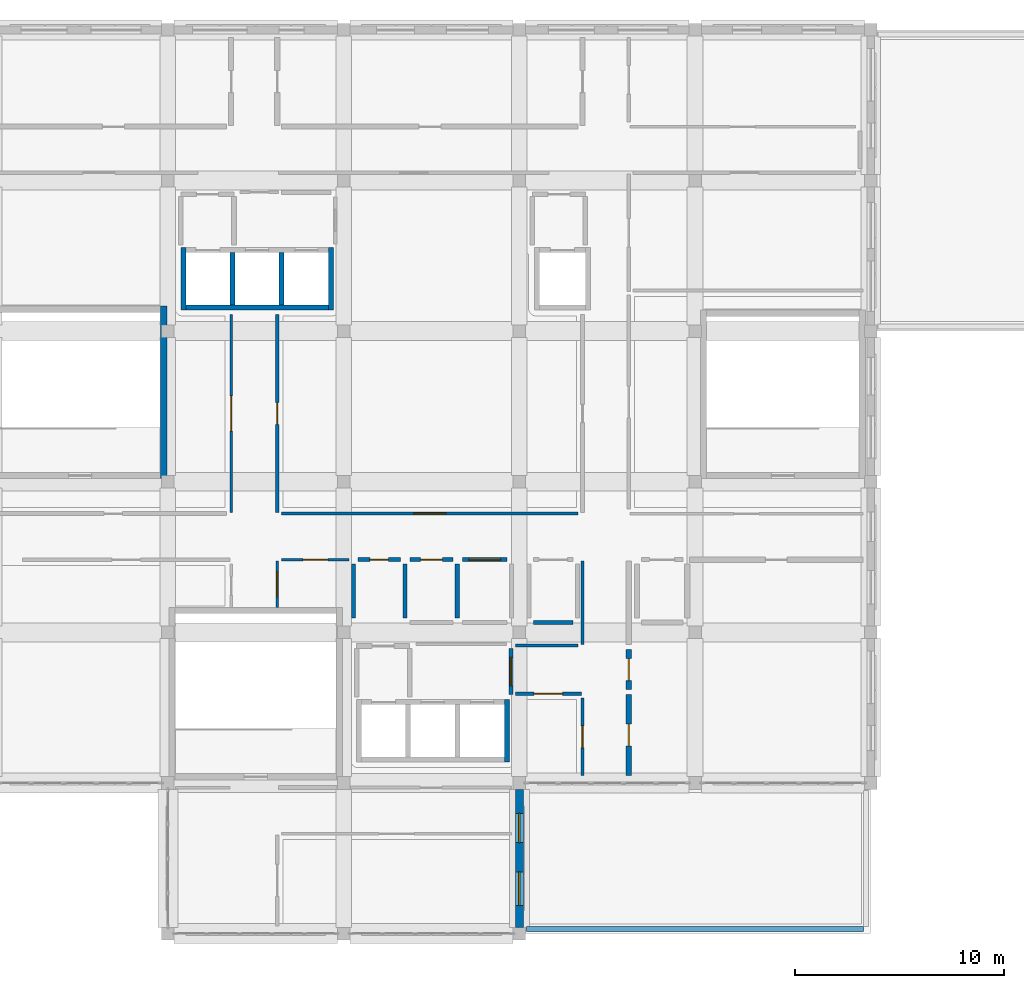
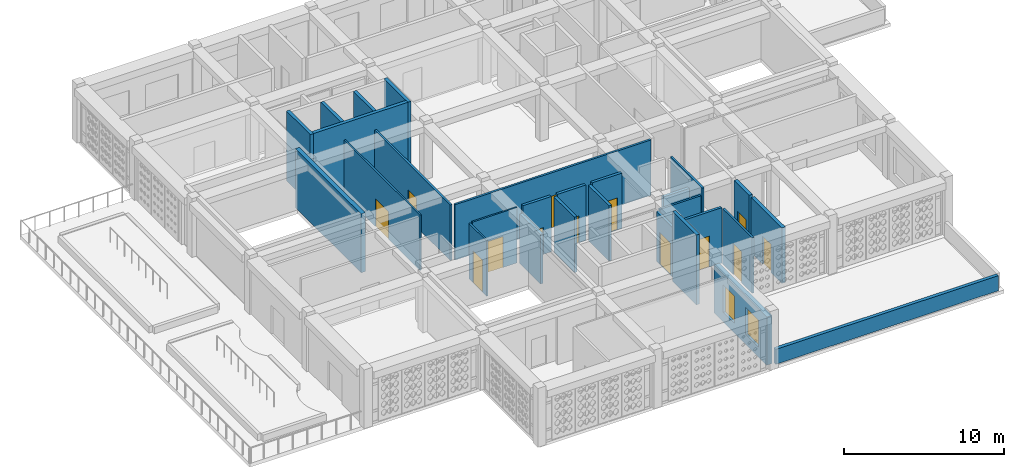
# One storey, part 13 of 28: 28 walls, 13 doors, 2 windows, 15 openings.
"""IFC4 building model written with IfcOpenShell, lengths in metres."""

from ifc_helpers import new_model, si_unit, derived_unit, direction, frame, frame_2d, origin, place, context, subcontext, project, spatial, rectangle, extrude, material, layer, layer_set, type_object, element, fill, save


model = new_model("IFC4")

# Units and contexts
model_context = context("Model", 3, precision=1e-05, world=origin(), true_north=direction((0.0, 1.0)))
body_context = subcontext(model_context, "Body", "Model", "MODEL_VIEW")
ifc_project = project(units=[si_unit("LENGTHUNIT", "METRE"), si_unit("AREAUNIT", "SQUARE_METRE"), si_unit("VOLUMEUNIT", "CUBIC_METRE"), si_unit("PLANEANGLEUNIT", "RADIAN"), si_unit("MASSUNIT", "GRAM", prefix="KILO"), derived_unit("THERMALTRANSMITTANCEUNIT", [(si_unit("POWERUNIT", "WATT"), 1), (si_unit("LENGTHUNIT", "METRE"), -2), (si_unit("THERMODYNAMICTEMPERATUREUNIT", "KELVIN"), -1)])], contexts=[model_context])

# Site, building, storey
site_placement = place(None, origin())
site = spatial("IfcSite", under=ifc_project, at=site_placement, CompositionType="ELEMENT")
building_placement = place(site_placement, origin())
building = spatial("IfcBuilding", under=site, at=building_placement, Name="Veybourne Emporium", CompositionType="ELEMENT")
storey_placement = place(building_placement, frame((0.0, 0.0, 32.10009765625)))
storey = spatial("IfcBuildingStorey", under=building, at=storey_placement, Name="L07", CompositionType="ELEMENT", Elevation=32.10009765625)

# Wall, openings, windows
ifc_material_1 = material(Name="Portland Limestone Ashlar", Category="masonry")
ifc_layer_1 = layer(ifc_material_1, 0.3798828125)
ifc_layer_set_1 = layer_set([ifc_layer_1], Name="Portland Limestone Ashlar")
wall_type_1 = type_object("IfcWallType", Name="ExtWall_EW-03", PredefinedType="SOLIDWALL", material=ifc_layer_set_1)
wall_1_placement = place(storey_placement, frame((33.60009765625, 14.10009765625, 0.0), z_axis=(0.0, 0.0, 1.0), x_axis=(0.0, -1.0, 0.0)))
wall_1 = element("IfcWall", 1, at=wall_1_placement, inside=storey, type_object=wall_type_1, Name="L07 Portland stone external wall 012", PredefinedType="SOLIDWALL", context=body_context, shape_type="SweptSolid", body=[
    extrude(rectangle(XDim=6.60009765625, YDim=0.3798828125, at=frame_2d((3.300048828125, 0.0))), origin(), (0.0, 0.0, 1.0), 3.68994140625),
])
opening_1_placement = place(wall_1_placement, frame((1.14794921875, 0.0, 0.75)))
opening_1 = element("IfcOpeningElement", 2, at=opening_1_placement, cuts=wall_1, Name="Opening W-10", PredefinedType="OPENING", context=body_context, shape_type="SweptSolid", body=[
    extrude(rectangle(XDim=1.39990234375, YDim=2.080078125, at=frame_2d((0.699951171875, 1.0400390625))), frame((0.0, 0.2099609375, 0.0), z_axis=(0.0, -1.0, 0.0), x_axis=(1.0, 0.0, 0.0)), (0.0, 0.0, 1.0), 0.419921875),
])
opening_2_placement = place(wall_1_placement, frame((3.951904296875, 0.0, 0.75)))
opening_2 = element("IfcOpeningElement", 3, at=opening_2_placement, cuts=wall_1, Name="Opening W-11", PredefinedType="OPENING", context=body_context, shape_type="SweptSolid", body=[
    extrude(rectangle(XDim=1.60009765625, YDim=2.080078125, at=frame_2d((0.800048828125, 1.0400390625))), frame((0.0, 0.2099609375, 0.0), z_axis=(0.0, -1.0, 0.0), x_axis=(1.0, 0.0, 0.0)), (0.0, 0.0, 1.0), 0.419921875),
])
ifc_material_2 = material(Name="Low-E Triple Glazing", Category="glass")
window_type_1 = type_object("IfcWindowType", Name="Win_W-10", PartitioningType="DOUBLE_PANEL_VERTICAL", PredefinedType="WINDOW", material=ifc_material_2)
window_1_placement = place(opening_1_placement, origin())
window_1 = element("IfcWindow", 4, at=window_1_placement, inside=storey, type_object=window_type_1, Name="L07 tripartite bronze casement window W-10 (12.1)", OverallHeight=2.080078125, OverallWidth=1.39990234375, PartitioningType="DOUBLE_PANEL_VERTICAL", PredefinedType="WINDOW", context=body_context, shape_type="SweptSolid", body=[
    extrude(rectangle(XDim=1.39990234375, YDim=2.080078125, at=frame_2d((0.699951171875, 1.0400390625))), frame((0.0, 0.030029296875, 0.0), z_axis=(0.0, -1.0, 0.0), x_axis=(1.0, 0.0, 0.0)), (0.0, 0.0, 1.0), 0.06005859375),
])
fill(opening_1, window_1)
window_type_2 = type_object("IfcWindowType", Name="Win_W-11", PartitioningType="DOUBLE_PANEL_VERTICAL", PredefinedType="WINDOW", material=ifc_material_2)
window_2_placement = place(opening_2_placement, origin())
window_2 = element("IfcWindow", 5, at=window_2_placement, inside=storey, type_object=window_type_2, Name="L07 tripartite bronze casement window W-11 (12.2)", OverallHeight=2.080078125, OverallWidth=1.60009765625, PartitioningType="DOUBLE_PANEL_VERTICAL", PredefinedType="WINDOW", context=body_context, shape_type="SweptSolid", body=[
    extrude(rectangle(XDim=1.60009765625, YDim=2.080078125, at=frame_2d((0.800048828125, 1.0400390625))), frame((0.0, 0.030029296875, 0.0), z_axis=(0.0, -1.0, 0.0), x_axis=(1.0, 0.0, 0.0)), (0.0, 0.0, 1.0), 0.06005859375),
])
fill(opening_2, window_2)

# Walls
ifc_material_3 = material(Name="Precast concrete C40/50", Category="concrete")
ifc_layer_2 = layer(ifc_material_3, 0.239990234375)
ifc_layer_set_2 = layer_set([ifc_layer_2], Name="Precast concrete C40/50")
wall_type_2 = type_object("IfcWallType", Name="ExtWall_PW-02", PredefinedType="PARAPET", material=ifc_layer_set_2)
wall_2_placement = place(storey_placement, frame((50.050048828125, 7.419921875, 0.0), z_axis=(0.0, 0.0, 1.0), x_axis=(-1.0, 0.0, 0.0)))
element("IfcWall", 6, at=wall_2_placement, inside=storey, type_object=wall_type_2, Name="L07 roof parapet wall 002", PredefinedType="PARAPET", context=body_context, shape_type="SweptSolid", body=[
    extrude(rectangle(XDim=16.10009765625, YDim=0.239990234375, at=frame_2d((8.050048828125, 0.0))), origin(), (0.0, 0.0, 1.0), 1.14990234375),
])
ifc_material_4 = material(Name="Concrete C40/50", Category="concrete")
ifc_layer_3 = layer(ifc_material_4, 0.300048828125)
ifc_layer_set_3 = layer_set([ifc_layer_3], Name="Concrete C40/50")
wall_type_3 = type_object("IfcWallType", Name="IntWall_CW-03", PredefinedType="SHEAR", material=ifc_layer_set_3)
wall_3_placement = place(storey_placement, frame((16.60009765625, 28.949951171875, 0.0), z_axis=(0.0, 0.0, 1.0), x_axis=(0.0, 1.0, 0.0)))
element("IfcWall", 7, at=wall_3_placement, inside=storey, type_object=wall_type_3, Name="Core stair ST-02 east shear wall (L07)", PredefinedType="SHEAR", context=body_context, shape_type="SweptSolid", body=[
    extrude(rectangle(XDim=8.25, YDim=0.300048828125, at=frame_2d((4.125, 0.0))), origin(), (0.0, 0.0, 1.0), 4.5),
])
ifc_layer_4 = layer(ifc_material_4, 0.239990234375)
ifc_layer_set_4 = layer_set([ifc_layer_4], Name="Concrete C40/50")
wall_type_4 = type_object("IfcWallType", Name="IntWall_CW-04", PredefinedType="SHEAR", material=ifc_layer_set_4)
wall_4_placement = place(storey_placement, frame((33.0, 15.409912109375, 0.0), z_axis=(0.0, 0.0, 1.0), x_axis=(0.0, 1.0, 0.0)))
element("IfcWall", 8, at=wall_4_placement, inside=storey, type_object=wall_type_4, Name="Lift core C1 east shaft wall (L07)", PredefinedType="SHEAR", context=body_context, shape_type="SweptSolid", body=[
    extrude(rectangle(XDim=2.97998046875, YDim=0.239990234375, at=frame_2d((1.489990234375, 0.0))), origin(), (0.0, 0.0, 1.0), 5.349853515625),
])
wall_5_placement = place(storey_placement, frame((17.659912109375, 37.1298828125, 0.0), z_axis=(0.0, 0.0, 1.0), x_axis=(1.0, 0.0, 0.0)))
element("IfcWall", 9, at=wall_5_placement, inside=storey, type_object=wall_type_4, Name="Lift core C2 south shaft wall (L07)", PredefinedType="SHEAR", context=body_context, shape_type="SweptSolid", body=[
    extrude(rectangle(XDim=6.820068359375, YDim=0.239990234375, at=frame_2d((3.41015625, 0.0))), origin(), (0.0, 0.0, 1.0), 5.349853515625),
])
for number, where, z_axis, x_axis, name in (
    (10, (17.5400390625, 39.989990234375, 0.0), (0.0, 0.0, 1.0), (0.0, -1.0, 0.0), "Lift core C2 west shaft wall (L07)"),
    (11, (24.60009765625, 37.010009765625, 0.0), (0.0, 0.0, 1.0), (0.0, 1.0, 0.0), "Lift core C2 east shaft wall (L07)"),
):
    element("IfcWall", number, at=place(storey_placement, frame(where, z_axis=z_axis, x_axis=x_axis)), inside=storey, type_object=wall_type_4, Name=name, PredefinedType="SHEAR", context=body_context, shape_type="SweptSolid", body=[
        extrude(rectangle(XDim=2.97998046875, YDim=0.239990234375, at=frame_2d((1.489990234375, 0.0))), origin(), (0.0, 0.0, 1.0), 5.349853515625),
    ])
for number, where, z_axis, x_axis, name in (
    (12, (19.8798828125, 37.25, 0.0), (0.0, 0.0, 1.0), (0.0, 1.0, 0.0), "Lift core C2 divider wall 1 (L07)"),
    (13, (22.239990234375, 37.25, 0.0), (0.0, 0.0, 1.0), (0.0, 1.0, 0.0), "Lift core C2 divider wall 2 (L07)"),
):
    element("IfcWall", number, at=place(storey_placement, frame(where, z_axis=z_axis, x_axis=x_axis)), inside=storey, type_object=wall_type_4, Name=name, PredefinedType="SHEAR", context=body_context, shape_type="SweptSolid", body=[
        extrude(rectangle(XDim=2.5, YDim=0.239990234375, at=frame_2d((1.25, 0.0))), origin(), (0.0, 0.0, 1.0), 5.349853515625),
    ])

# Wall, opening, door
ifc_material_5 = material(Name="Concrete C32/40", Category="concrete")
ifc_layer_5 = layer(ifc_material_5, 0.25)
ifc_layer_set_5 = layer_set([ifc_layer_5], Name="Concrete C32/40")
wall_type_5 = type_object("IfcWallType", Name="IntWall_FW-01", PredefinedType="SOLIDWALL", material=ifc_layer_set_5)
wall_6_placement = place(storey_placement, frame((38.830078125, 14.77001953125, 0.0), z_axis=(0.0, 0.0, 1.0), x_axis=(0.0, 1.0, 0.0)))
wall_6 = element("IfcWall", 14, at=wall_6_placement, inside=storey, type_object=wall_type_5, Name="L07 interior partition FW-01 #028", PredefinedType="SOLIDWALL", context=body_context, shape_type="SweptSolid", body=[
    extrude(rectangle(XDim=3.85009765625, YDim=0.25, at=frame_2d((1.925048828125, 0.0))), origin(), (0.0, 0.0, 1.0), 4.239990234375),
])
opening_3_placement = place(wall_6_placement, frame((1.39990234375, 0.0, 0.0)))
opening_3 = element("IfcOpeningElement", 15, at=opening_3_placement, cuts=wall_6, Name="Opening FD-02", PredefinedType="OPENING", context=body_context, shape_type="SweptSolid", body=[
    extrude(rectangle(XDim=1.050048828125, YDim=2.14990234375, at=frame_2d((0.52490234375, 1.074951171875))), frame((0.0, 0.14501953125, 0.0), z_axis=(0.0, -1.0, 0.0), x_axis=(1.0, 0.0, 0.0)), (0.0, 0.0, 1.0), 0.2900390625),
])
ifc_material_6 = material(Name="Patinated Architectural Bronze", Category="bronze")
door_type_1 = type_object("IfcDoorType", Name="FireDoor_FD-02", OperationType="NOTDEFINED", PredefinedType="DOOR", material=ifc_material_6)
door_1_placement = place(opening_3_placement, origin())
door_1 = element("IfcDoor", 16, at=door_1_placement, inside=storey, type_object=door_type_1, Name="L07 interior door FD-02 (PART-L07-028)", OperationType="SINGLE_SWING_RIGHT", OverallHeight=2.14990234375, OverallWidth=1.050048828125, PredefinedType="DOOR", context=body_context, shape_type="SweptSolid", body=[
    extrude(rectangle(XDim=1.050048828125, YDim=2.14990234375, at=frame_2d((0.52490234375, 1.074951171875))), frame((0.0, 0.02490234375, 0.0), z_axis=(0.0, -1.0, 0.0), x_axis=(1.0, 0.0, 0.0)), (0.0, 0.0, 1.0), 0.050048828125),
])
fill(opening_3, door_1)

wall_7_placement = place(storey_placement, frame((38.830078125, 18.8798828125, 0.0), z_axis=(0.0, 0.0, 1.0), x_axis=(0.0, 1.0, 0.0)))
wall_7 = element("IfcWall", 17, at=wall_7_placement, inside=storey, type_object=wall_type_5, Name="L07 interior partition FW-01 #044", PredefinedType="SOLIDWALL", context=body_context, shape_type="SweptSolid", body=[
    extrude(rectangle(XDim=1.89013671875, YDim=0.25, at=frame_2d((0.945068359375, 0.0))), origin(), (0.0, 0.0, 1.0), 4.239990234375),
])
opening_4_placement = place(wall_7_placement, frame((0.419921875, 0.0, 0.0)))
opening_4 = element("IfcOpeningElement", 18, at=opening_4_placement, cuts=wall_7, Name="Opening FD-02", PredefinedType="OPENING", context=body_context, shape_type="SweptSolid", body=[
    extrude(rectangle(XDim=1.050048828125, YDim=2.14990234375, at=frame_2d((0.52490234375, 1.074951171875))), frame((0.0, 0.14501953125, 0.0), z_axis=(0.0, -1.0, 0.0), x_axis=(1.0, 0.0, 0.0)), (0.0, 0.0, 1.0), 0.2900390625),
])
door_2_placement = place(opening_4_placement, origin())
door_2 = element("IfcDoor", 19, at=door_2_placement, inside=storey, type_object=door_type_1, Name="L07 interior door FD-02 (PART-L07-044)", OperationType="SINGLE_SWING_LEFT", OverallHeight=2.14990234375, OverallWidth=1.050048828125, PredefinedType="DOOR", context=body_context, shape_type="SweptSolid", body=[
    extrude(rectangle(XDim=1.050048828125, YDim=2.14990234375, at=frame_2d((0.52490234375, 1.074951171875))), frame((0.0, 0.02490234375, 0.0), z_axis=(0.0, -1.0, 0.0), x_axis=(1.0, 0.0, 0.0)), (0.0, 0.0, 1.0), 0.050048828125),
])
fill(opening_4, door_2)

ifc_material_7 = material(Name="Gypsum Acoustic Board", Category="gypsum")
ifc_layer_6 = layer(ifc_material_7, 0.179931640625)
ifc_layer_set_6 = layer_set([ifc_layer_6], Name="Gypsum Acoustic Board")
wall_type_6 = type_object("IfcWallType", Name="IntWall_IW-01", PredefinedType="PARTITIONING", material=ifc_layer_set_6)
wall_8_placement = place(storey_placement, frame((33.409912109375, 18.669921875, 0.0), z_axis=(0.0, 0.0, 1.0), x_axis=(1.0, 0.0, 0.0)))
wall_8 = element("IfcWall", 20, at=wall_8_placement, inside=storey, type_object=wall_type_6, Name="L07 interior partition IW-01 #031", PredefinedType="PARTITIONING", context=body_context, shape_type="SweptSolid", body=[
    extrude(rectangle(XDim=3.16015625, YDim=0.179931640625, at=frame_2d((1.580078125, 0.0))), origin(), (0.0, 0.0, 1.0), 4.239990234375),
])
opening_5_placement = place(wall_8_placement, frame((0.89990234375, 0.0, 0.0)))
opening_5 = element("IfcOpeningElement", 21, at=opening_5_placement, cuts=wall_8, Name="Opening D-28", PredefinedType="OPENING", context=body_context, shape_type="SweptSolid", body=[
    extrude(rectangle(XDim=1.360107421875, YDim=2.3701171875, at=frame_2d((0.68017578125, 1.18505859375))), frame((0.0, 0.10986328125, 0.0), z_axis=(0.0, -1.0, 0.0), x_axis=(1.0, 0.0, 0.0)), (0.0, 0.0, 1.0), 0.219970703125),
])
ifc_material_8 = material(Name="European Oak Veneer and Bronze", Category="wood")
door_type_2 = type_object("IfcDoorType", Name="IntDoor_D-28", OperationType="NOTDEFINED", PredefinedType="DOOR", material=ifc_material_8)
door_3_placement = place(opening_5_placement, origin())
door_3 = element("IfcDoor", 22, at=door_3_placement, inside=storey, type_object=door_type_2, Name="L07 interior door D-28 (PART-L07-031)", OperationType="SINGLE_SWING_LEFT", OverallHeight=2.3701171875, OverallWidth=1.360107421875, PredefinedType="DOOR", context=body_context, shape_type="SweptSolid", body=[
    extrude(rectangle(XDim=1.360107421875, YDim=2.3701171875, at=frame_2d((0.68017578125, 1.18505859375))), frame((0.0, 0.02490234375, 0.0), z_axis=(0.0, -1.0, 0.0), x_axis=(1.0, 0.0, 0.0)), (0.0, 0.0, 1.0), 0.050048828125),
])
fill(opening_5, door_3)

wall_9_placement = place(storey_placement, frame((33.199951171875, 18.6201171875, 0.0), z_axis=(0.0, 0.0, 1.0), x_axis=(0.0, 1.0, 0.0)))
wall_9 = element("IfcWall", 23, at=wall_9_placement, inside=storey, type_object=wall_type_6, Name="L07 interior partition IW-01 #037", PredefinedType="PARTITIONING", context=body_context, shape_type="SweptSolid", body=[
    extrude(rectangle(XDim=2.199951171875, YDim=0.179931640625, at=frame_2d((1.10009765625, 0.0))), origin(), (0.0, 0.0, 1.0), 3.789794921875),
])
opening_6_placement = place(wall_9_placement, frame((0.419921875, 0.0, 0.0)))
opening_6 = element("IfcOpeningElement", 24, at=opening_6_placement, cuts=wall_9, Name="Opening D-34", PredefinedType="OPENING", context=body_context, shape_type="SweptSolid", body=[
    extrude(rectangle(XDim=1.360107421875, YDim=2.449951171875, at=frame_2d((0.68017578125, 1.22509765625))), frame((0.0, 0.10986328125, 0.0), z_axis=(0.0, -1.0, 0.0), x_axis=(1.0, 0.0, 0.0)), (0.0, 0.0, 1.0), 0.219970703125),
])
door_type_3 = type_object("IfcDoorType", Name="IntDoor_D-34", OperationType="NOTDEFINED", PredefinedType="DOOR", material=ifc_material_8)
door_4_placement = place(opening_6_placement, origin())
door_4 = element("IfcDoor", 25, at=door_4_placement, inside=storey, type_object=door_type_3, Name="L07 interior door D-34 (PART-L07-037)", OperationType="SINGLE_SWING_RIGHT", OverallHeight=2.449951171875, OverallWidth=1.360107421875, PredefinedType="DOOR", context=body_context, shape_type="SweptSolid", body=[
    extrude(rectangle(XDim=1.360107421875, YDim=2.449951171875, at=frame_2d((0.68017578125, 1.22509765625))), frame((0.0, 0.02490234375, 0.0), z_axis=(0.0, -1.0, 0.0), x_axis=(1.0, 0.0, 0.0)), (0.0, 0.0, 1.0), 0.050048828125),
])
fill(opening_6, door_4)

ifc_layer_7 = layer(ifc_material_7, 0.14990234375)
ifc_layer_set_7 = layer_set([ifc_layer_7], Name="Gypsum Acoustic Board")
wall_type_7 = type_object("IfcWallType", Name="IntWall_IW-02", PredefinedType="PARTITIONING", material=ifc_layer_set_7)
wall_10_placement = place(storey_placement, frame((22.239990234375, 27.280029296875, 0.0), z_axis=(0.0, 0.0, 1.0), x_axis=(1.0, 0.0, 0.0)))
wall_10 = element("IfcWall", 26, at=wall_10_placement, inside=storey, type_object=wall_type_7, Name="L07 interior partition IW-02 #002", PredefinedType="PARTITIONING", context=body_context, shape_type="SweptSolid", body=[
    extrude(rectangle(XDim=14.169921875, YDim=0.14990234375, at=frame_2d((7.0849609375, 0.0))), origin(), (0.0, 0.0, 1.0), 4.239990234375),
])
opening_7_placement = place(wall_10_placement, frame((6.324951171875, 0.0, 0.0)))
opening_7 = element("IfcOpeningElement", 27, at=opening_7_placement, cuts=wall_10, Name="Opening D-35", PredefinedType="OPENING", context=body_context, shape_type="SweptSolid", body=[
    extrude(rectangle(XDim=1.52001953125, YDim=2.449951171875, at=frame_2d((0.760009765625, 1.22509765625))), frame((0.0, 0.094970703125, 0.0), z_axis=(0.0, -1.0, 0.0), x_axis=(1.0, 0.0, 0.0)), (0.0, 0.0, 1.0), 0.18994140625),
])
door_type_4 = type_object("IfcDoorType", Name="IntDoor_D-35", OperationType="NOTDEFINED", PredefinedType="DOOR", material=ifc_material_8)
door_5_placement = place(opening_7_placement, origin())
door_5 = element("IfcDoor", 28, at=door_5_placement, inside=storey, type_object=door_type_4, Name="L07 interior door D-35 (PART-L07-002)", OperationType="SINGLE_SWING_RIGHT", OverallHeight=2.449951171875, OverallWidth=1.52001953125, PredefinedType="DOOR", context=body_context, shape_type="SweptSolid", body=[
    extrude(rectangle(XDim=1.52001953125, YDim=2.449951171875, at=frame_2d((0.760009765625, 1.22509765625))), frame((0.0, 0.02490234375, 0.0), z_axis=(0.0, -1.0, 0.0), x_axis=(1.0, 0.0, 0.0)), (0.0, 0.0, 1.0), 0.050048828125),
])
fill(opening_7, door_5)

wall_11_placement = place(storey_placement, frame((22.030029296875, 27.330078125, 0.0), z_axis=(0.0, 0.0, 1.0), x_axis=(0.0, 1.0, 0.0)))
wall_11 = element("IfcWall", 29, at=wall_11_placement, inside=storey, type_object=wall_type_7, Name="L07 interior partition IW-02 #017", PredefinedType="PARTITIONING", context=body_context, shape_type="SweptSolid", body=[
    extrude(rectangle(XDim=9.469970703125, YDim=0.14990234375, at=frame_2d((4.73486328125, 0.0))), origin(), (0.0, 0.0, 1.0), 4.239990234375),
])
opening_8_placement = place(wall_11_placement, frame((4.215087890625, 0.0, 0.0)))
opening_8 = element("IfcOpeningElement", 30, at=opening_8_placement, cuts=wall_11, Name="Opening D-14", PredefinedType="OPENING", context=body_context, shape_type="SweptSolid", body=[
    extrude(rectangle(XDim=1.0400390625, YDim=2.2099609375, at=frame_2d((0.52001953125, 1.10498046875))), frame((0.0, 0.094970703125, 0.0), z_axis=(0.0, -1.0, 0.0), x_axis=(1.0, 0.0, 0.0)), (0.0, 0.0, 1.0), 0.18994140625),
])
door_type_5 = type_object("IfcDoorType", Name="IntDoor_D-14", OperationType="NOTDEFINED", PredefinedType="DOOR", material=ifc_material_8)
door_6_placement = place(opening_8_placement, origin())
door_6 = element("IfcDoor", 31, at=door_6_placement, inside=storey, type_object=door_type_5, Name="L07 interior door D-14 (PART-L07-017)", OperationType="SINGLE_SWING_RIGHT", OverallHeight=2.2099609375, OverallWidth=1.0400390625, PredefinedType="DOOR", context=body_context, shape_type="SweptSolid", body=[
    extrude(rectangle(XDim=1.0400390625, YDim=2.2099609375, at=frame_2d((0.52001953125, 1.10498046875))), frame((0.0, 0.02490234375, 0.0), z_axis=(0.0, -1.0, 0.0), x_axis=(1.0, 0.0, 0.0)), (0.0, 0.0, 1.0), 0.050048828125),
])
fill(opening_8, door_6)

# Wall
wall_12_placement = place(storey_placement, frame((36.6201171875, 21.030029296875, 0.0), z_axis=(0.0, 0.0, 1.0), x_axis=(0.0, 1.0, 0.0)))
element("IfcWall", 32, at=wall_12_placement, inside=storey, type_object=wall_type_7, Name="L07 interior partition IW-02 #026", PredefinedType="PARTITIONING", context=body_context, shape_type="SweptSolid", body=[
    extrude(rectangle(XDim=3.989990234375, YDim=0.14990234375, at=frame_2d((1.9951171875, 0.0))), origin(), (0.0, 0.0, 1.0), 4.239990234375),
])

# Wall, opening, door
wall_13_placement = place(storey_placement, frame((36.6201171875, 14.77001953125, 0.0), z_axis=(0.0, 0.0, 1.0), x_axis=(0.0, 1.0, 0.0)))
wall_13 = element("IfcWall", 33, at=wall_13_placement, inside=storey, type_object=wall_type_7, Name="L07 interior partition IW-02 #029", PredefinedType="PARTITIONING", context=body_context, shape_type="SweptSolid", body=[
    extrude(rectangle(XDim=3.68994140625, YDim=0.14990234375, at=frame_2d((1.844970703125, 0.0))), origin(), (0.0, 0.0, 1.0), 4.239990234375),
])
opening_9_placement = place(wall_13_placement, frame((1.324951171875, 0.0, 0.0)))
opening_9 = element("IfcOpeningElement", 34, at=opening_9_placement, cuts=wall_13, Name="Opening D-26", PredefinedType="OPENING", context=body_context, shape_type="SweptSolid", body=[
    extrude(rectangle(XDim=1.0400390625, YDim=2.3701171875, at=frame_2d((0.52001953125, 1.18505859375))), frame((0.0, 0.094970703125, 0.0), z_axis=(0.0, -1.0, 0.0), x_axis=(1.0, 0.0, 0.0)), (0.0, 0.0, 1.0), 0.18994140625),
])
door_type_6 = type_object("IfcDoorType", Name="IntDoor_D-26", OperationType="NOTDEFINED", PredefinedType="DOOR", material=ifc_material_8)
door_7_placement = place(opening_9_placement, origin())
door_7 = element("IfcDoor", 35, at=door_7_placement, inside=storey, type_object=door_type_6, Name="L07 interior door D-26 (PART-L07-029)", OperationType="SINGLE_SWING_LEFT", OverallHeight=2.3701171875, OverallWidth=1.0400390625, PredefinedType="DOOR", context=body_context, shape_type="SweptSolid", body=[
    extrude(rectangle(XDim=1.0400390625, YDim=2.3701171875, at=frame_2d((0.52001953125, 1.18505859375))), frame((0.0, 0.02490234375, 0.0), z_axis=(0.0, -1.0, 0.0), x_axis=(1.0, 0.0, 0.0)), (0.0, 0.0, 1.0), 0.050048828125),
])
fill(opening_9, door_7)

# Wall
wall_14_placement = place(storey_placement, frame((33.409912109375, 20.97998046875, 0.0), z_axis=(0.0, 0.0, 1.0), x_axis=(1.0, 0.0, 0.0)))
element("IfcWall", 36, at=wall_14_placement, inside=storey, type_object=wall_type_7, Name="L07 interior partition IW-02 #032", PredefinedType="PARTITIONING", context=body_context, shape_type="SweptSolid", body=[
    extrude(rectangle(XDim=3.0, YDim=0.14990234375, at=frame_2d((1.5, 0.0))), origin(), (0.0, 0.0, 1.0), 3.789794921875),
])

# Wall, opening, door
ifc_layer_8 = layer(ifc_material_7, 0.1201171875)
ifc_layer_set_8 = layer_set([ifc_layer_8], Name="Gypsum Acoustic Board")
wall_type_8 = type_object("IfcWallType", Name="IntWall_IW-03", PredefinedType="PARTITIONING", material=ifc_layer_set_8)
wall_15_placement = place(storey_placement, frame((19.820068359375, 27.330078125, 0.0), z_axis=(0.0, 0.0, 1.0), x_axis=(0.0, 1.0, 0.0)))
wall_15 = element("IfcWall", 37, at=wall_15_placement, inside=storey, type_object=wall_type_8, Name="L07 interior partition IW-03 #015", PredefinedType="PARTITIONING", context=body_context, shape_type="SweptSolid", body=[
    extrude(rectangle(XDim=9.469970703125, YDim=0.1201171875, at=frame_2d((4.73486328125, 0.0))), origin(), (0.0, 0.0, 1.0), 4.239990234375),
])
opening_10_placement = place(wall_15_placement, frame((3.89501953125, 0.0, 0.0)))
opening_10 = element("IfcOpeningElement", 38, at=opening_10_placement, cuts=wall_15, Name="Opening D-12", PredefinedType="OPENING", context=body_context, shape_type="SweptSolid", body=[
    extrude(rectangle(XDim=1.679931640625, YDim=2.1298828125, at=frame_2d((0.83984375, 1.06494140625))), frame((0.0, 0.080078125, 0.0), z_axis=(0.0, -1.0, 0.0), x_axis=(1.0, 0.0, 0.0)), (0.0, 0.0, 1.0), 0.16015625),
])
door_type_7 = type_object("IfcDoorType", Name="IntDoor_D-12", OperationType="DOUBLE_DOOR_SINGLE_SWING", PredefinedType="DOOR", material=ifc_material_8)
door_8_placement = place(opening_10_placement, origin())
door_8 = element("IfcDoor", 39, at=door_8_placement, inside=storey, type_object=door_type_7, Name="L07 interior door D-12 (PART-L07-015)", OperationType="DOUBLE_DOOR_SINGLE_SWING", OverallHeight=2.1298828125, OverallWidth=1.679931640625, PredefinedType="DOOR", context=body_context, shape_type="SweptSolid", body=[
    extrude(rectangle(XDim=1.679931640625, YDim=2.1298828125, at=frame_2d((0.83984375, 1.06494140625))), frame((0.0, 0.02490234375, 0.0), z_axis=(0.0, -1.0, 0.0), x_axis=(1.0, 0.0, 0.0)), (0.0, 0.0, 1.0), 0.050048828125),
])
fill(opening_10, door_8)

wall_16_placement = place(storey_placement, frame((22.239990234375, 25.070068359375, 0.0), z_axis=(0.0, 0.0, 1.0), x_axis=(1.0, 0.0, 0.0)))
wall_16 = element("IfcWall", 40, at=wall_16_placement, inside=storey, type_object=wall_type_8, Name="L07 interior partition IW-03 #030", PredefinedType="PARTITIONING", context=body_context, shape_type="SweptSolid", body=[
    extrude(rectangle(XDim=3.219970703125, YDim=0.1201171875, at=frame_2d((1.60986328125, 0.0))), origin(), (0.0, 0.0, 1.0), 4.239990234375),
])
opening_11_placement = place(wall_16_placement, frame((1.010009765625, 0.0, 0.0)))
opening_11 = element("IfcOpeningElement", 41, at=opening_11_placement, cuts=wall_16, Name="Opening D-27", PredefinedType="OPENING", context=body_context, shape_type="SweptSolid", body=[
    extrude(rectangle(XDim=1.199951171875, YDim=2.3701171875, at=frame_2d((0.60009765625, 1.18505859375))), frame((0.0, 0.080078125, 0.0), z_axis=(0.0, -1.0, 0.0), x_axis=(1.0, 0.0, 0.0)), (0.0, 0.0, 1.0), 0.16015625),
])
door_type_8 = type_object("IfcDoorType", Name="IntDoor_D-27", OperationType="NOTDEFINED", PredefinedType="DOOR", material=ifc_material_8)
door_9_placement = place(opening_11_placement, origin())
door_9 = element("IfcDoor", 42, at=door_9_placement, inside=storey, type_object=door_type_8, Name="L07 interior door D-27 (PART-L07-030)", OperationType="SINGLE_SWING_RIGHT", OverallHeight=2.3701171875, OverallWidth=1.199951171875, PredefinedType="DOOR", context=body_context, shape_type="SweptSolid", body=[
    extrude(rectangle(XDim=1.199951171875, YDim=2.3701171875, at=frame_2d((0.60009765625, 1.18505859375))), frame((0.0, 0.02490234375, 0.0), z_axis=(0.0, -1.0, 0.0), x_axis=(1.0, 0.0, 0.0)), (0.0, 0.0, 1.0), 0.050048828125),
])
fill(opening_11, door_9)

wall_17_placement = place(storey_placement, frame((22.030029296875, 22.7900390625, 0.0), z_axis=(0.0, 0.0, 1.0), x_axis=(0.0, 1.0, 0.0)))
wall_17 = element("IfcWall", 43, at=wall_17_placement, inside=storey, type_object=wall_type_8, Name="L07 interior partition IW-03 #036", PredefinedType="PARTITIONING", context=body_context, shape_type="SweptSolid", body=[
    extrude(rectangle(XDim=2.22998046875, YDim=0.1201171875, at=frame_2d((1.114990234375, 0.0))), origin(), (0.0, 0.0, 1.0), 4.239990234375),
])
opening_12_placement = place(wall_17_placement, frame((0.514892578125, 0.0, 0.0)))
opening_12 = element("IfcOpeningElement", 44, at=opening_12_placement, cuts=wall_17, Name="Opening D-33", PredefinedType="OPENING", context=body_context, shape_type="SweptSolid", body=[
    extrude(rectangle(XDim=1.199951171875, YDim=2.449951171875, at=frame_2d((0.60009765625, 1.22509765625))), frame((0.0, 0.080078125, 0.0), z_axis=(0.0, -1.0, 0.0), x_axis=(1.0, 0.0, 0.0)), (0.0, 0.0, 1.0), 0.16015625),
])
door_type_9 = type_object("IfcDoorType", Name="IntDoor_D-33", OperationType="NOTDEFINED", PredefinedType="DOOR", material=ifc_material_8)
door_10_placement = place(opening_12_placement, origin())
door_10 = element("IfcDoor", 45, at=door_10_placement, inside=storey, type_object=door_type_9, Name="L07 interior door D-33 (PART-L07-036)", OperationType="SINGLE_SWING_LEFT", OverallHeight=2.449951171875, OverallWidth=1.199951171875, PredefinedType="DOOR", context=body_context, shape_type="SweptSolid", body=[
    extrude(rectangle(XDim=1.199951171875, YDim=2.449951171875, at=frame_2d((0.60009765625, 1.22509765625))), frame((0.0, 0.02490234375, 0.0), z_axis=(0.0, -1.0, 0.0), x_axis=(1.0, 0.0, 0.0)), (0.0, 0.0, 1.0), 0.050048828125),
])
fill(opening_12, door_10)

ifc_layer_9 = layer(ifc_material_7, 0.199951171875)
ifc_layer_set_9 = layer_set([ifc_layer_9], Name="Gypsum Acoustic Board")
wall_type_9 = type_object("IfcWallType", Name="IntWall_IW-04", PredefinedType="PLUMBINGWALL", material=ifc_layer_set_9)
wall_18_placement = place(storey_placement, frame((30.8798828125, 25.080078125, 0.0), z_axis=(0.0, 0.0, 1.0), x_axis=(1.0, 0.0, 0.0)))
wall_18 = element("IfcWall", 46, at=wall_18_placement, inside=storey, type_object=wall_type_9, Name="L07 interior partition IW-04 #038", PredefinedType="PLUMBINGWALL", context=body_context, shape_type="SweptSolid", body=[
    extrude(rectangle(XDim=2.14013671875, YDim=0.199951171875, at=frame_2d((1.070068359375, 0.0))), origin(), (0.0, 0.0, 1.0), 4.239990234375),
])
opening_13_placement = place(wall_18_placement, frame((0.31005859375, 0.0, 0.0)))
opening_13 = element("IfcOpeningElement", 47, at=opening_13_placement, cuts=wall_18, Name="Opening D-35", PredefinedType="OPENING", context=body_context, shape_type="SweptSolid", body=[
    extrude(rectangle(XDim=1.52001953125, YDim=2.449951171875, at=frame_2d((0.760009765625, 1.22509765625))), frame((0.0, 0.1201171875, 0.0), z_axis=(0.0, -1.0, 0.0), x_axis=(1.0, 0.0, 0.0)), (0.0, 0.0, 1.0), 0.239990234375),
])
door_11_placement = place(opening_13_placement, origin())
door_11 = element("IfcDoor", 48, at=door_11_placement, inside=storey, type_object=door_type_4, Name="L07 interior door D-35 (PART-L07-038)", OperationType="SINGLE_SWING_LEFT", OverallHeight=2.449951171875, OverallWidth=1.52001953125, PredefinedType="DOOR", context=body_context, shape_type="SweptSolid", body=[
    extrude(rectangle(XDim=1.52001953125, YDim=2.449951171875, at=frame_2d((0.760009765625, 1.22509765625))), frame((0.0, 0.02490234375, 0.0), z_axis=(0.0, -1.0, 0.0), x_axis=(1.0, 0.0, 0.0)), (0.0, 0.0, 1.0), 0.050048828125),
])
fill(opening_13, door_11)

wall_19_placement = place(storey_placement, frame((25.8798828125, 25.080078125, 0.0), z_axis=(0.0, 0.0, 1.0), x_axis=(1.0, 0.0, 0.0)))
wall_19 = element("IfcWall", 49, at=wall_19_placement, inside=storey, type_object=wall_type_9, Name="L07 interior partition IW-04 #040", PredefinedType="PLUMBINGWALL", context=body_context, shape_type="SweptSolid", body=[
    extrude(rectangle(XDim=2.0400390625, YDim=0.199951171875, at=frame_2d((1.02001953125, 0.0))), origin(), (0.0, 0.0, 1.0), 4.239990234375),
])
opening_14_placement = place(wall_19_placement, frame((0.580078125, 0.0, 0.0)))
opening_14 = element("IfcOpeningElement", 50, at=opening_14_placement, cuts=wall_19, Name="Opening D-01", PredefinedType="OPENING", context=body_context, shape_type="SweptSolid", body=[
    extrude(rectangle(XDim=0.8798828125, YDim=2.050048828125, at=frame_2d((0.43994140625, 1.02490234375))), frame((0.0, 0.1201171875, 0.0), z_axis=(0.0, -1.0, 0.0), x_axis=(1.0, 0.0, 0.0)), (0.0, 0.0, 1.0), 0.239990234375),
])
door_type_10 = type_object("IfcDoorType", Name="IntDoor_D-01", OperationType="NOTDEFINED", PredefinedType="DOOR", material=ifc_material_8)
door_12_placement = place(opening_14_placement, origin())
door_12 = element("IfcDoor", 51, at=door_12_placement, inside=storey, type_object=door_type_10, Name="L07 interior door D-01 (PART-L07-040)", OperationType="SINGLE_SWING_LEFT", OverallHeight=2.050048828125, OverallWidth=0.8798828125, PredefinedType="DOOR", context=body_context, shape_type="SweptSolid", body=[
    extrude(rectangle(XDim=0.8798828125, YDim=2.050048828125, at=frame_2d((0.43994140625, 1.02490234375))), frame((0.0, 0.02490234375, 0.0), z_axis=(0.0, -1.0, 0.0), x_axis=(1.0, 0.0, 0.0)), (0.0, 0.0, 1.0), 0.050048828125),
])
fill(opening_14, door_12)

wall_20_placement = place(storey_placement, frame((28.3798828125, 25.080078125, 0.0), z_axis=(0.0, 0.0, 1.0), x_axis=(1.0, 0.0, 0.0)))
wall_20 = element("IfcWall", 52, at=wall_20_placement, inside=storey, type_object=wall_type_9, Name="L07 interior partition IW-04 #041", PredefinedType="PLUMBINGWALL", context=body_context, shape_type="SweptSolid", body=[
    extrude(rectangle(XDim=2.0400390625, YDim=0.199951171875, at=frame_2d((1.02001953125, 0.0))), origin(), (0.0, 0.0, 1.0), 4.239990234375),
])
opening_15_placement = place(wall_20_placement, frame((0.5, 0.0, 0.0)))
opening_15 = element("IfcOpeningElement", 53, at=opening_15_placement, cuts=wall_20, Name="Opening D-02", PredefinedType="OPENING", context=body_context, shape_type="SweptSolid", body=[
    extrude(rectangle(XDim=1.0400390625, YDim=2.050048828125, at=frame_2d((0.52001953125, 1.02490234375))), frame((0.0, 0.1201171875, 0.0), z_axis=(0.0, -1.0, 0.0), x_axis=(1.0, 0.0, 0.0)), (0.0, 0.0, 1.0), 0.239990234375),
])
door_type_11 = type_object("IfcDoorType", Name="IntDoor_D-02", OperationType="NOTDEFINED", PredefinedType="DOOR", material=ifc_material_8)
door_13_placement = place(opening_15_placement, origin())
door_13 = element("IfcDoor", 54, at=door_13_placement, inside=storey, type_object=door_type_11, Name="L07 interior door D-02 (PART-L07-041)", OperationType="SINGLE_SWING_RIGHT", OverallHeight=2.050048828125, OverallWidth=1.0400390625, PredefinedType="DOOR", context=body_context, shape_type="SweptSolid", body=[
    extrude(rectangle(XDim=1.0400390625, YDim=2.050048828125, at=frame_2d((0.52001953125, 1.02490234375))), frame((0.0, 0.02490234375, 0.0), z_axis=(0.0, -1.0, 0.0), x_axis=(1.0, 0.0, 0.0)), (0.0, 0.0, 1.0), 0.050048828125),
])
fill(opening_15, door_13)

# Walls
wall_21_placement = place(storey_placement, frame((28.1298828125, 22.280029296875, 0.0), z_axis=(0.0, 0.0, 1.0), x_axis=(0.0, 1.0, 0.0)))
element("IfcWall", 55, at=wall_21_placement, inside=storey, type_object=wall_type_9, Name="L07 interior partition IW-04 #048", PredefinedType="PLUMBINGWALL", context=body_context, shape_type="SweptSolid", body=[
    extrude(rectangle(XDim=2.590087890625, YDim=0.199951171875, at=frame_2d((1.294921875, 0.0))), origin(), (0.0, 0.0, 1.0), 4.239990234375),
])
wall_22_placement = place(storey_placement, frame((25.669921875, 22.280029296875, 0.0), z_axis=(0.0, 0.0, 1.0), x_axis=(0.0, 1.0, 0.0)))
element("IfcWall", 56, at=wall_22_placement, inside=storey, type_object=wall_type_9, Name="L07 interior partition IW-04 #049", PredefinedType="PLUMBINGWALL", context=body_context, shape_type="SweptSolid", body=[
    extrude(rectangle(XDim=2.590087890625, YDim=0.199951171875, at=frame_2d((1.294921875, 0.0))), origin(), (0.0, 0.0, 1.0), 3.789794921875),
])
wall_23_placement = place(storey_placement, frame((30.6298828125, 22.280029296875, 0.0), z_axis=(0.0, 0.0, 1.0), x_axis=(0.0, 1.0, 0.0)))
element("IfcWall", 57, at=wall_23_placement, inside=storey, type_object=wall_type_9, Name="L07 interior partition IW-04 #050", PredefinedType="PLUMBINGWALL", context=body_context, shape_type="SweptSolid", body=[
    extrude(rectangle(XDim=2.590087890625, YDim=0.199951171875, at=frame_2d((1.294921875, 0.0))), origin(), (0.0, 0.0, 1.0), 4.239990234375),
])
wall_24_placement = place(storey_placement, frame((34.280029296875, 22.070068359375, 0.0), z_axis=(0.0, 0.0, 1.0), x_axis=(1.0, 0.0, 0.0)))
element("IfcWall", 58, at=wall_24_placement, inside=storey, type_object=wall_type_9, Name="L07 interior partition IW-04 #059", PredefinedType="PLUMBINGWALL", context=body_context, shape_type="SweptSolid", body=[
    extrude(rectangle(XDim=1.889892578125, YDim=0.199951171875, at=frame_2d((0.94482421875, 0.0))), origin(), (0.0, 0.0, 1.0), 3.789794921875),
])

save(model, "model.ifc")
